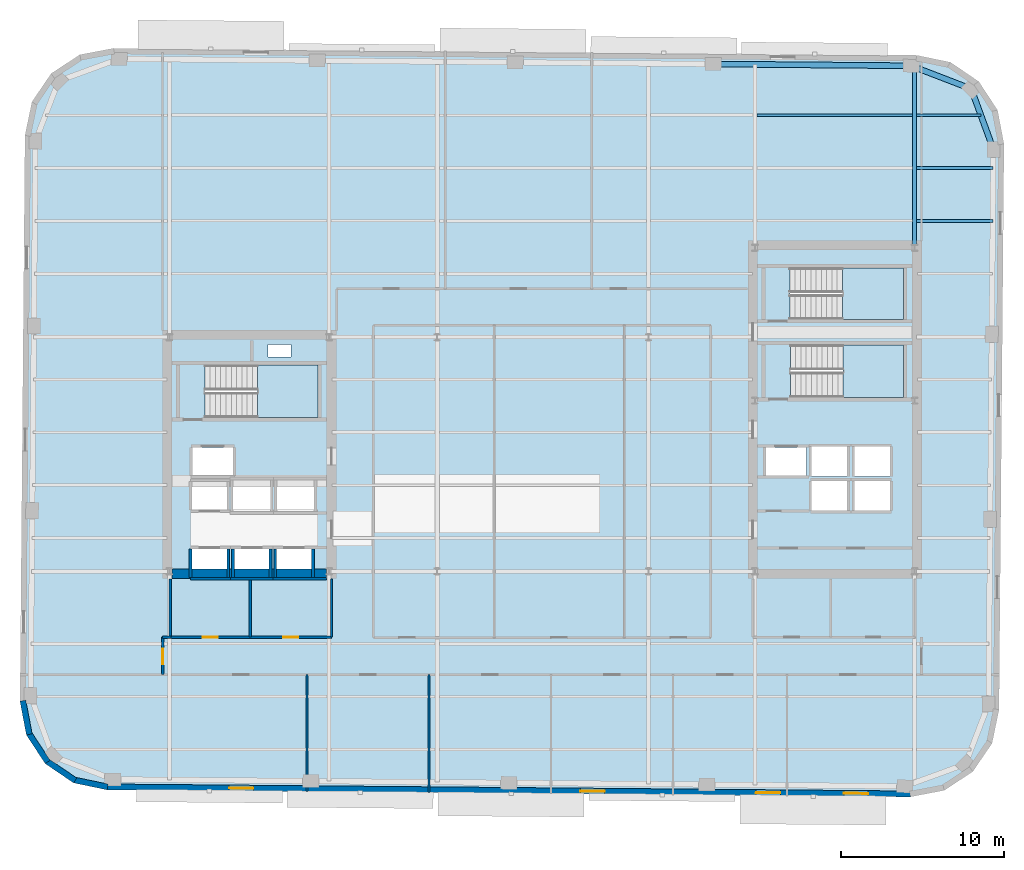
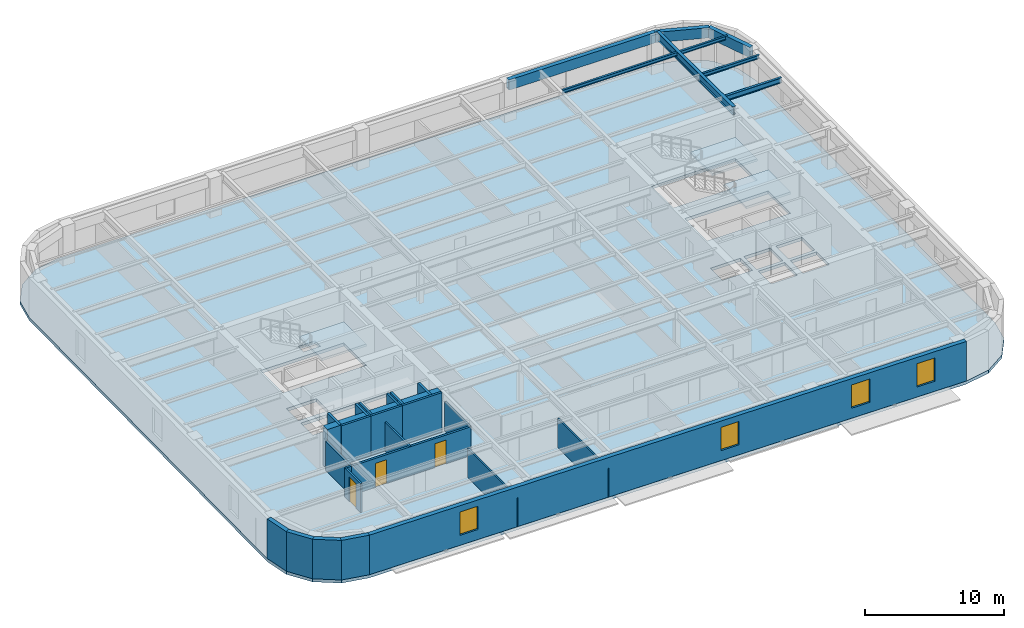
# One storey, part 3 of 11: 23 walls, 8 beams, 4 slabs, 4 windows, 3 doors, 7 openings, 3 elements without a shape of their own.
"""IFC4 building model written with IfcOpenShell, lengths in metres."""

import ifcopenshell
import ifcopenshell.guid

model = None  # the IFC model being written
_history = None  # IfcOwnerHistory: only IFC2X3 demands one
_inside = {}  # id of a spatial element -> (the spatial element, [elements in it])
_under = {}  # id of a project, library or spatial element -> (it, [spatial elements below it])
_declared = {}  # id of a project -> (the project, [libraries it declares])
_typed = {}  # id of a type object -> (the type object, [elements of that type])
_made_of = {}  # id of a material, layer set ... -> (it, [elements and type objects made of it])


def new_model(schema):
    """Start an empty IFC model of exactly this schema.

    Asked for "IFC4X3", IfcOpenShell would pick the latest addendum, in which some entities
    have other attributes; the version numbers below select the first issue.
    IFC2X3 requires an IfcOwnerHistory on every rooted entity: one is made here for all.
    """
    global model, _history
    if schema == "IFC4X3":
        model = ifcopenshell.file(schema_version=(4, 3, 0, 0))
    else:
        model = ifcopenshell.file(schema=schema)
    _inside.clear()
    _under.clear()
    _declared.clear()
    _typed.clear()
    _made_of.clear()
    _history = None
    if model.schema == "IFC2X3":
        org = make("IfcOrganization", Name="unknown")
        user = make(
            "IfcPersonAndOrganization",
            ThePerson=make("IfcPerson", FamilyName="unknown"),
            TheOrganization=org,
        )
        app = make(
            "IfcApplication",
            ApplicationDeveloper=org,
            Version="unknown",
            ApplicationFullName="unknown",
            ApplicationIdentifier="unknown",
        )
        _history = make(
            "IfcOwnerHistory",
            OwningUser=user,
            OwningApplication=app,
            ChangeAction="ADDED",
            CreationDate=0,
        )
    return model


def make(cls, **values):
    """One entity of the class cls with the attributes given. An attribute that is None is left unset."""
    return model.create_entity(
        cls, **{name: value for name, value in values.items() if value is not None}
    )


def rooted(cls, **values):
    """An entity with a GlobalId (a new one), such as an element, a storey or a relation."""
    return make(cls, GlobalId=ifcopenshell.guid.new(), OwnerHistory=_history, **values)


def si_unit(unit_type, name, prefix=None):
    """IfcSIUnit, for example si_unit("LENGTHUNIT", "METRE", prefix="MILLI")."""
    return make("IfcSIUnit", UnitType=unit_type, Prefix=prefix, Name=name)


def assignment(units):
    """IfcUnitAssignment: the units of a project."""
    return None if units is None else make("IfcUnitAssignment", Units=units)


def point(xyz):
    """IfcCartesianPoint."""
    return None if xyz is None else make("IfcCartesianPoint", Coordinates=xyz)


def direction(xyz):
    """IfcDirection."""
    return None if xyz is None else make("IfcDirection", DirectionRatios=xyz)


def frame(location, z_axis=None, x_axis=None):
    """IfcAxis2Placement3D, a coordinate frame: its origin and axes. An axis left out is left unset."""
    return make(
        "IfcAxis2Placement3D",
        Location=point(location),
        Axis=direction(z_axis),
        RefDirection=direction(x_axis),
    )


def frame_2d(location, x_axis=None):
    """IfcAxis2Placement2D, a coordinate frame in the plane: its origin and x axis."""
    return make(
        "IfcAxis2Placement2D", Location=point(location), RefDirection=direction(x_axis)
    )


def origin():
    """The frame at (0, 0, 0) with its axes left unset."""
    return frame((0.0, 0.0, 0.0))


def origin_2d():
    """The frame at (0, 0) in the plane with its x axis left unset."""
    return frame_2d((0.0, 0.0))


def place(relative_to, where):
    """IfcLocalPlacement: puts the frame where relative to a parent placement (None: the world)."""
    return make(
        "IfcLocalPlacement", PlacementRelTo=relative_to, RelativePlacement=where
    )


def context(
    kind, dimensions, precision=None, world=None, true_north=None, identifier=None
):
    """IfcGeometricRepresentationContext, for example the 3D "Model" context."""
    return make(
        "IfcGeometricRepresentationContext",
        ContextIdentifier=identifier,
        ContextType=kind,
        CoordinateSpaceDimension=dimensions,
        Precision=precision,
        WorldCoordinateSystem=world,
        TrueNorth=true_north,
    )


def subcontext(parent, identifier, kind, view, scale=None):
    """IfcGeometricRepresentationSubContext, for example "Body" below "Model"."""
    return make(
        "IfcGeometricRepresentationSubContext",
        ContextIdentifier=identifier,
        ContextType=kind,
        ParentContext=parent,
        TargetScale=scale,
        TargetView=view,
    )


def project(units=None, contexts=None):
    """IfcProject with its units and contexts."""
    return rooted(
        "IfcProject",
        Name="project",
        RepresentationContexts=contexts,
        UnitsInContext=assignment(units),
    )


def spatial(cls, under=None, at=None, **own):
    """A site, building, storey or space (cls), placed at a placement, below another one or the project."""
    s = rooted(cls, ObjectPlacement=at, **own)
    if under is not None:
        _under.setdefault(under.id(), (under, []))[1].append(s)
    return s


def polyline(points):
    """IfcPolyline through the points."""
    return make("IfcPolyline", Points=[point(p) for p in points])


def profile(cls, at=None, kind="AREA", **sizes):
    """A parametric profile (cls). Its sizes go by their IFC names, for example OverallWidth=200.0."""
    return make(cls, ProfileType=kind, Position=at, **sizes)


def rectangle(**sizes):
    """IfcRectangleProfileDef."""
    return profile("IfcRectangleProfileDef", **sizes)


def hollow_rectangle(**sizes):
    """IfcRectangleHollowProfileDef."""
    return profile("IfcRectangleHollowProfileDef", **sizes)


def i_section(**sizes):
    """IfcIShapeProfileDef."""
    return profile("IfcIShapeProfileDef", **sizes)


def outline(outer, holes=None, kind="AREA"):
    """IfcArbitraryClosedProfileDef: a profile drawn as a closed curve; with holes, ...WithVoids."""
    if holes is None:
        return make("IfcArbitraryClosedProfileDef", ProfileType=kind, OuterCurve=outer)
    return make(
        "IfcArbitraryProfileDefWithVoids",
        ProfileType=kind,
        OuterCurve=outer,
        InnerCurves=holes,
    )


def extrude(swept, where, along, depth):
    """IfcExtrudedAreaSolid: the profile swept, set in the frame where, extruded along a direction by depth."""
    return make(
        "IfcExtrudedAreaSolid",
        SweptArea=swept,
        Position=where,
        ExtrudedDirection=direction(along),
        Depth=depth,
    )


def shape(context_of_items, identifier, shape_type, items):
    """IfcShapeRepresentation: the items that make up one representation, for example the "Body"."""
    return make(
        "IfcShapeRepresentation",
        ContextOfItems=context_of_items,
        RepresentationIdentifier=identifier,
        RepresentationType=shape_type,
        Items=items,
    )


def material(Name=None, Category=None):
    """IfcMaterial."""
    return make("IfcMaterial", Name=Name, Category=Category)


def layer(
    of_material, thickness, ventilated=None, Name=None, Category=None, Priority=None
):
    """IfcMaterialLayer: one layer of a wall or slab, of a material (None: an air gap)."""
    return make(
        "IfcMaterialLayer",
        Material=of_material,
        LayerThickness=thickness,
        IsVentilated=ventilated,
        Name=Name,
        Category=Category,
        Priority=Priority,
    )


def layer_set(layers, Name=None):
    """IfcMaterialLayerSet."""
    return make("IfcMaterialLayerSet", MaterialLayers=layers, LayerSetName=Name)


def material_profile(
    of_material, cross_section, Name=None, Category=None, Priority=None
):
    """IfcMaterialProfile: a cross section and its material."""
    return make(
        "IfcMaterialProfile",
        Name=Name,
        Material=of_material,
        Profile=cross_section,
        Priority=Priority,
        Category=Category,
    )


def profile_set(profiles, Name=None, composite=None):
    """IfcMaterialProfileSet."""
    return make(
        "IfcMaterialProfileSet",
        Name=Name,
        MaterialProfiles=profiles,
        CompositeProfile=composite,
    )


def made_of(thing, what):
    """Note that an element or type object is made of a material, layer set ...; save() writes the relation."""
    if what is not None:
        _made_of.setdefault(what.id(), (what, []))[1].append(thing)
    return thing


def type_object(cls, material=None, **own):
    """A type object (cls), such as IfcWallType, which elements share."""
    return made_of(rooted(cls, **own), material)


def element(
    cls,
    number,
    at=None,
    inside=None,
    cuts=None,
    type_object=None,
    material=None,
    context=None,
    identifier="Body",
    shape_type=None,
    held_by="IfcProductDefinitionShape",
    body=None,
    shapes=None,
    **own,
):
    """One element of the class cls, such as IfcWall. Its Tag is "e" and its number.

    at: its placement. inside: the storey or other place that contains it. cuts: it is an
    opening in that element (IfcRelVoidsElement). A single representation is given by context,
    identifier, shape_type and body (its items); several are given by shapes. held_by: the class
    of the entity that holds the representations. save() writes the other relations.
    """
    e = rooted(cls, Tag="e%d" % number, ObjectPlacement=at, **own)
    if body is not None:
        shapes = [shape(context, identifier, shape_type, body)]
    if shapes is not None:
        e.Representation = make(held_by, Representations=shapes)
    if inside is not None:
        _inside.setdefault(inside.id(), (inside, []))[1].append(e)
    if cuts is not None:
        rooted(
            "IfcRelVoidsElement", RelatingBuildingElement=cuts, RelatedOpeningElement=e
        )
    if type_object is not None:
        _typed.setdefault(type_object.id(), (type_object, []))[1].append(e)
    return made_of(e, material)


def fill(opening, filler):
    """IfcRelFillsElement: the door or window that sits in an opening."""
    return rooted(
        "IfcRelFillsElement",
        RelatingOpeningElement=opening,
        RelatedBuildingElement=filler,
    )


def aggregate(whole, parts):
    """IfcRelAggregates: a whole, such as a stair, and the parts it consists of."""
    return rooted("IfcRelAggregates", RelatingObject=whole, RelatedObjects=parts)


def save(model, path):
    """Write the relations noted so far, then the file.

    IfcRelAggregates (storeys below a building ...), IfcRelContainedInSpatialStructure (elements
    in a storey), IfcRelDefinesByType, IfcRelAssociatesMaterial and IfcRelDeclares: one each for
    every whole, place, type object, material and project.
    """
    for whole, parts in _under.values():
        aggregate(whole, parts)
    for where, things in _inside.values():
        rooted(
            "IfcRelContainedInSpatialStructure",
            RelatedElements=things,
            RelatingStructure=where,
        )
    for kind, things in _typed.values():
        rooted("IfcRelDefinesByType", RelatedObjects=things, RelatingType=kind)
    for what, things in _made_of.values():
        rooted("IfcRelAssociatesMaterial", RelatedObjects=things, RelatingMaterial=what)
    for by, libraries in _declared.values():
        rooted("IfcRelDeclares", RelatingContext=by, RelatedDefinitions=libraries)
    model.write(path)


model = new_model("IFC4")

# Units and contexts
model_context = context("Model", 3, precision=1e-05, world=origin(), true_north=direction((0.0, 1.0)))
body_context = subcontext(model_context, "Body", "Model", "MODEL_VIEW")
ifc_project = project(units=[si_unit("LENGTHUNIT", "METRE"), si_unit("AREAUNIT", "SQUARE_METRE"), si_unit("VOLUMEUNIT", "CUBIC_METRE"), si_unit("PLANEANGLEUNIT", "RADIAN"), si_unit("MASSUNIT", "GRAM", prefix="KILO")], contexts=[model_context])

# Site, building, storey
site_placement = place(None, origin())
site = spatial("IfcSite", under=ifc_project, at=site_placement, CompositionType="ELEMENT")
building_placement = place(site_placement, origin())
building = spatial("IfcBuilding", under=site, at=building_placement, Name="Kolvaren Arena Tower", CompositionType="ELEMENT")
storey_placement = place(building_placement, frame((0.0, 0.0, 195.949951171875)))
storey = spatial("IfcBuildingStorey", under=building, at=storey_placement, Name="L47", CompositionType="ELEMENT", Elevation=195.949951171875)

# Beams
ifc_material_1 = material(Name="Steel CSA G40.21 350W", Category="steel")
ifc_material_profile_1 = material_profile(ifc_material_1, i_section(OverallWidth=0.193115234375, OverallDepth=0.462890625, WebThickness=0.0107421875, FlangeThickness=0.0205078125, FilletRadius=0.012939453125, at=origin_2d()), Name="W460x113")
ifc_profile_set_1 = profile_set([ifc_material_profile_1], Name="Steel CSA G40.21 350W")
beam_type_1 = type_object("IfcBeamType", Name="BEAM-F2", PredefinedType="BEAM", material=ifc_profile_set_1)
beam_1_placement = place(storey_placement, frame((60.4775390625, 41.0, 3.24853515625), z_axis=(1.0, 0.0, 0.0), x_axis=(0.0, 1.0, 0.0)))
element("IfcBeam", 1, at=beam_1_placement, inside=storey, type_object=beam_type_1, Name="Composite Floor Beam (L47)", PredefinedType="BEAM", context=body_context, shape_type="SweptSolid", body=[
    extrude(i_section(OverallWidth=0.193115234375, OverallDepth=0.462890625, WebThickness=0.0107421875, FlangeThickness=0.0205078125, FilletRadius=0.012939453125, at=origin_2d()), origin(), (0.0, 0.0, 1.0), 4.681884765625),
])
ifc_material_profile_2 = material_profile(ifc_material_1, i_section(OverallWidth=0.2548828125, OverallDepth=0.695068359375, WebThickness=0.01708984375, FlangeThickness=0.02978515625, FilletRadius=0.01611328125, at=origin_2d()), Name="W690x217")
ifc_profile_set_2 = profile_set([ifc_material_profile_2], Name="Steel CSA G40.21 350W")
beam_type_2 = type_object("IfcBeamType", Name="GIRD-T2", PredefinedType="BEAM", material=ifc_profile_set_2)
beam_2_placement = place(storey_placement, frame((60.35009765625, 39.47998046875, 3.132568359375), z_axis=(0.0, 1.0, 0.0), x_axis=(-1.0, 0.0, 0.0)))
element("IfcBeam", 2, at=beam_2_placement, inside=storey, type_object=beam_type_2, Name="Primary Floor Girder (L47)", PredefinedType="BEAM", context=body_context, shape_type="SweptSolid", body=[
    extrude(i_section(OverallWidth=0.2548828125, OverallDepth=0.695068359375, WebThickness=0.01708984375, FlangeThickness=0.02978515625, FilletRadius=0.01611328125, at=origin_2d()), origin(), (0.0, 0.0, 1.0), 10.976806640625),
])
ifc_material_profile_3 = material_profile(ifc_material_1, i_section(OverallWidth=0.1669921875, OverallDepth=0.31689453125, WebThickness=0.007568359375, FlangeThickness=0.01318359375, FilletRadius=0.010009765625, at=origin_2d()), Name="W310x52")
ifc_profile_set_3 = profile_set([ifc_material_profile_3], Name="Steel CSA G40.21 350W")
beam_type_3 = type_object("IfcBeamType", Name="JOIST-02", PredefinedType="JOIST", material=ifc_profile_set_3)
beam_3_placement = place(storey_placement, frame((60.4775390625, 44.25, 3.321533203125), z_axis=(1.0, 0.0, 0.0), x_axis=(0.0, 1.0, 0.0)))
element("IfcBeam", 3, at=beam_3_placement, inside=storey, type_object=beam_type_3, Name="Composite Floor Joist (L47)", PredefinedType="JOIST", context=body_context, shape_type="SweptSolid", body=[
    extrude(i_section(OverallWidth=0.1669921875, OverallDepth=0.31689453125, WebThickness=0.007568359375, FlangeThickness=0.01318359375, FilletRadius=0.010009765625, at=origin_2d()), origin(), (0.0, 0.0, 1.0), 4.710205078125),
])
beam_4_placement = place(storey_placement, frame((50.677490234375, 47.5, 3.321533203125), z_axis=(1.0, 0.0, 0.0), x_axis=(0.0, 1.0, 0.0)))
element("IfcBeam", 4, at=beam_4_placement, inside=storey, type_object=beam_type_3, Name="Composite Floor Joist (L47)", PredefinedType="JOIST", context=body_context, shape_type="SweptSolid", body=[
    extrude(i_section(OverallWidth=0.1669921875, OverallDepth=0.31689453125, WebThickness=0.007568359375, FlangeThickness=0.01318359375, FilletRadius=0.010009765625, at=origin_2d()), origin(), (0.0, 0.0, 1.0), 9.544921875),
])
beam_5_placement = place(storey_placement, frame((60.4775390625, 47.5, 3.321533203125), z_axis=(1.0, 0.0, 0.0), x_axis=(0.0, 1.0, 0.0)))
element("IfcBeam", 5, at=beam_5_placement, inside=storey, type_object=beam_type_3, Name="Composite Floor Joist (L47)", PredefinedType="JOIST", context=body_context, shape_type="SweptSolid", body=[
    extrude(i_section(OverallWidth=0.1669921875, OverallDepth=0.31689453125, WebThickness=0.007568359375, FlangeThickness=0.01318359375, FilletRadius=0.010009765625, at=origin_2d()), origin(), (0.0, 0.0, 1.0), 3.950439453125),
])
ifc_material_2 = material(Name="Steel CSA G40.21 350WT", Category="steel")
ifc_material_profile_4 = material_profile(ifc_material_2, hollow_rectangle(XDim=0.35009765625, YDim=0.89990234375, WallThickness=0.02001953125, at=origin_2d()), Name="HSS 900x350x20")
ifc_profile_set_4 = profile_set([ifc_material_profile_4], Name="Steel CSA G40.21 350WT")
beam_type_4 = type_object("IfcBeamType", Name="SPAND-01", PredefinedType="SPANDREL", material=ifc_profile_set_4)
for number, where, z_axis, x_axis, name in (
    (6, (65.19775390625, 45.392333984375, 3.030029296875), (-0.343059102458, 0.939313819882, 0.0), (-0.939313819882, -0.343059102458, 0.0), "Perimeter Spandrel Beam (L47)"),
    (7, (63.8388671875, 49.113037109375, 3.030029296875), (-0.933189846698, 0.359383792094, 0.0), (-0.359383792094, -0.933189846698, 0.0), "Perimeter Spandrel Beam (L47)"),
):
    element("IfcBeam", number, at=place(storey_placement, frame(where, z_axis=z_axis, x_axis=x_axis)), inside=storey, type_object=beam_type_4, Name=name, PredefinedType="SPANDREL", context=body_context, shape_type="SweptSolid", body=[
        extrude(hollow_rectangle(XDim=0.35009765625, YDim=0.89990234375, WallThickness=0.02001953125, at=origin_2d()), origin(), (0.0, 0.0, 1.0), 3.961181640625),
    ])
beam_6_placement = place(storey_placement, frame((60.142333984375, 50.53662109375, 3.030029296875), z_axis=(-0.99996195503, 0.008722871848, 0.0), x_axis=(-0.008722871848, -0.99996195503, 0.0)))
element("IfcBeam", 8, at=beam_6_placement, inside=storey, type_object=beam_type_4, Name="Perimeter Spandrel Beam (L47)", PredefinedType="SPANDREL", context=body_context, shape_type="SweptSolid", body=[
    extrude(hollow_rectangle(XDim=0.35009765625, YDim=0.89990234375, WallThickness=0.02001953125, at=origin_2d()), origin(), (0.0, 0.0, 1.0), 12.175048828125),
])

# Stair, slab
ifc_material_3 = material(Name="Concrete 45 MPa", Category="concrete")
stair_type_1 = type_object("IfcStairType", Name="STAIR-CORE-165", PredefinedType="HALF_TURN_STAIR", material=ifc_material_3)
stair_1_placement = place(storey_placement, origin())
stair_1 = element("IfcStair", 9, at=stair_1_placement, inside=storey, type_object=stair_type_1, Name="L47 ST-W1", PredefinedType="HALF_TURN_STAIR")
ifc_layer_1 = layer(ifc_material_3, 0.199951171875)
ifc_layer_set_1 = layer_set([ifc_layer_1], Name="Concrete 45 MPa")
slab_type_1 = type_object("IfcSlabType", Name="SLAB-LAND", PredefinedType="LANDING", material=ifc_layer_set_1)
slab_1_placement = place(storey_placement, frame((0.0, 0.0, 1.675048828125)))
slab_1 = element("IfcSlab", 10, at=slab_1_placement, type_object=slab_type_1, Name="ST-W1 landing 1", PredefinedType="LANDING", context=body_context, shape_type="SweptSolid", body=[
    extrude(outline(polyline([(19.9599609375, 28.89990234375), (23.659912109375, 28.89990234375), (23.659912109375, 32.1298828125), (19.9599609375, 32.1298828125), (19.9599609375, 28.89990234375)])), origin(), (0.0, 0.0, 1.0), 0.199951171875),
])
aggregate(stair_1, [slab_1])

stair_2_placement = place(storey_placement, origin())
stair_2 = element("IfcStair", 11, at=stair_2_placement, inside=storey, type_object=stair_type_1, Name="L47 ST-E1", PredefinedType="HALF_TURN_STAIR")
slab_2_placement = place(storey_placement, frame((0.0, 0.0, 1.675048828125)))
slab_2 = element("IfcSlab", 12, at=slab_2_placement, type_object=slab_type_1, Name="ST-E1 landing 1", PredefinedType="LANDING", context=body_context, shape_type="SweptSolid", body=[
    extrude(outline(polyline([(55.9599609375, 30.14990234375), (59.659912109375, 30.14990234375), (59.659912109375, 33.3798828125), (55.9599609375, 33.3798828125), (55.9599609375, 30.14990234375)])), origin(), (0.0, 0.0, 1.0), 0.199951171875),
])
aggregate(stair_2, [slab_2])

stair_type_2 = type_object("IfcStairType", Name="STAIR-CORE-150", PredefinedType="HALF_TURN_STAIR", material=ifc_material_3)
stair_3_placement = place(storey_placement, origin())
stair_3 = element("IfcStair", 13, at=stair_3_placement, inside=storey, type_object=stair_type_2, Name="L47 ST-E2", PredefinedType="HALF_TURN_STAIR")
slab_3_placement = place(storey_placement, frame((0.0, 0.0, 1.675048828125)))
slab_3 = element("IfcSlab", 14, at=slab_3_placement, type_object=slab_type_1, Name="ST-E2 landing 1", PredefinedType="LANDING", context=body_context, shape_type="SweptSolid", body=[
    extrude(outline(polyline([(55.919921875, 34.949951171875), (59.659912109375, 34.949951171875), (59.659912109375, 38.10009765625), (55.919921875, 38.10009765625), (55.919921875, 34.949951171875)])), origin(), (0.0, 0.0, 1.0), 0.199951171875),
])
aggregate(stair_3, [slab_3])

# Slab
ifc_layer_2 = layer(ifc_material_3, 0.27001953125)
ifc_layer_set_2 = layer_set([ifc_layer_2], Name="Concrete 45 MPa")
slab_type_2 = type_object("IfcSlabType", Name="SLAB-OFF2", PredefinedType="FLOOR", material=ifc_layer_set_2)
slab_4_placement = place(storey_placement, frame((0.0, 0.0, -0.27001953125)))
element("IfcSlab", 15, at=slab_4_placement, inside=storey, type_object=slab_type_2, Name="L47 Primary Structural Slab", PredefinedType="FLOOR", context=body_context, shape_type="SweptSolid", body=[
    extrude(outline(polyline([(60.10009765625, 5.585205078125), (62.170166015625, 5.978271484375), (63.93212890625, 7.133544921875), (65.117919921875, 8.875244140625), (65.547119140625, 10.93798828125), (65.8505859375, 45.73681640625), (65.457763671875, 47.806640625), (64.302490234375, 49.568603515625), (62.560791015625, 50.75439453125), (60.498046875, 51.18359375), (11.099853515625, 51.61474609375), (9.02978515625, 51.2216796875), (7.267822265625, 50.06640625), (6.08203125, 48.32470703125), (5.653076171875, 46.261962890625), (5.349365234375, 11.46337890625), (5.7421875, 9.393310546875), (6.8974609375, 7.63134765625), (8.63916015625, 6.445556640625), (10.701904296875, 6.016357421875), (60.10009765625, 5.585205078125)]), holes=[polyline([(15.93505859375, 19.0849609375), (15.93505859375, 20.81494140625), (18.06494140625, 20.81494140625), (18.06494140625, 19.0849609375), (15.93505859375, 19.0849609375)]), polyline([(18.534912109375, 19.0849609375), (18.534912109375, 20.81494140625), (20.6650390625, 20.81494140625), (20.6650390625, 19.0849609375), (18.534912109375, 19.0849609375)]), polyline([(21.135009765625, 19.0849609375), (21.135009765625, 20.81494140625), (23.264892578125, 20.81494140625), (23.264892578125, 19.0849609375), (21.135009765625, 19.0849609375)]), polyline([(18.4599609375, 23.135009765625), (18.4599609375, 25.06494140625), (20.739990234375, 25.06494140625), (20.739990234375, 23.135009765625), (18.4599609375, 23.135009765625)]), polyline([(21.159912109375, 23.135009765625), (21.159912109375, 25.06494140625), (23.43994140625, 25.06494140625), (23.43994140625, 23.135009765625), (21.159912109375, 23.135009765625)]), polyline([(54.030029296875, 23.18505859375), (54.030029296875, 25.014892578125), (56.2099609375, 25.014892578125), (56.2099609375, 23.18505859375), (54.030029296875, 23.18505859375)]), polyline([(56.669921875, 23.18505859375), (56.669921875, 25.014892578125), (58.85009765625, 25.014892578125), (58.85009765625, 23.18505859375), (56.669921875, 23.18505859375)]), polyline([(15.93505859375, 23.235107421875), (15.93505859375, 24.965087890625), (18.06494140625, 24.965087890625), (18.06494140625, 23.235107421875), (15.93505859375, 23.235107421875)]), polyline([(54.030029296875, 25.284912109375), (54.030029296875, 27.114990234375), (56.2099609375, 27.114990234375), (56.2099609375, 25.284912109375), (54.030029296875, 25.284912109375)]), polyline([(56.669921875, 25.284912109375), (56.669921875, 27.114990234375), (58.85009765625, 27.114990234375), (58.85009765625, 25.284912109375), (56.669921875, 25.284912109375)]), polyline([(15.9599609375, 25.3349609375), (15.9599609375, 27.06494140625), (18.43994140625, 27.06494140625), (18.43994140625, 25.3349609375), (15.9599609375, 25.3349609375)]), polyline([(51.219970703125, 25.3349609375), (51.219970703125, 27.06494140625), (53.699951171875, 27.06494140625), (53.699951171875, 25.3349609375), (51.219970703125, 25.3349609375)]), polyline([(16.735107421875, 28.89990234375), (16.735107421875, 32.1298828125), (23.659912109375, 32.1298828125), (23.659912109375, 28.89990234375), (16.735107421875, 28.89990234375)]), polyline([(52.735107421875, 30.14990234375), (52.735107421875, 33.3798828125), (59.659912109375, 33.3798828125), (59.659912109375, 30.14990234375), (52.735107421875, 30.14990234375)]), polyline([(20.60009765625, 32.6201171875), (20.60009765625, 33.39990234375), (22.0, 33.39990234375), (22.0, 32.6201171875), (20.60009765625, 32.6201171875)]), polyline([(52.695068359375, 34.949951171875), (52.695068359375, 38.10009765625), (59.659912109375, 38.10009765625), (59.659912109375, 34.949951171875), (52.695068359375, 34.949951171875)])]), origin(), (0.0, 0.0, 1.0), 0.27001953125),
])

# Wall, opening, door
ifc_material_4 = material(Name="Gypsum board acoustic assembly", Category="gypsum")
ifc_layer_3 = layer(ifc_material_4, 0.159912109375)
ifc_layer_set_3 = layer_set([ifc_layer_3], Name="Gypsum board acoustic assembly")
wall_type_1 = type_object("IfcWallType", Name="CORR-160", PredefinedType="PARTITIONING", material=ifc_layer_set_3)
wall_1_placement = place(storey_placement, frame((14.1201171875, 13.10009765625, 0.0), z_axis=(0.0, 0.0, 1.0), x_axis=(0.0, 1.0, 0.0)))
wall_1 = element("IfcWall", 16, at=wall_1_placement, inside=storey, type_object=wall_type_1, Name="Interior Partition Wall (L47)", PredefinedType="PARTITIONING", context=body_context, shape_type="SweptSolid", body=[
    extrude(rectangle(XDim=2.2998046875, YDim=0.159912109375, at=frame_2d((1.14990234375, 0.0))), origin(), (0.0, 0.0, 1.0), 2.5400390625),
])
opening_1_placement = place(wall_1_placement, frame((0.64990234375, 0.0, 0.0)))
opening_1 = element("IfcOpeningElement", 17, at=opening_1_placement, cuts=wall_1, Name="Opening D05", PredefinedType="OPENING", context=body_context, shape_type="SweptSolid", body=[
    extrude(rectangle(XDim=0.949951171875, YDim=2.14990234375, at=frame_2d((0.47509765625, 1.074951171875))), frame((0.0, 0.08984375, 0.0), z_axis=(0.0, -1.0, 0.0), x_axis=(1.0, 0.0, 0.0)), (0.0, 0.0, 1.0), 0.179931640625),
])
ifc_material_5 = material(Name="Solid-core oak acoustic office door", Category="wood")
door_type_1 = type_object("IfcDoorType", Name="DOOR-OF-095", OperationType="NOTDEFINED", PredefinedType="DOOR", material=ifc_material_5)
door_1_placement = place(opening_1_placement, origin())
door_1 = element("IfcDoor", 18, at=door_1_placement, inside=storey, type_object=door_type_1, Name="West Wing Office Door (L47)", OperationType="SINGLE_SWING_LEFT", OverallHeight=2.14990234375, OverallWidth=0.949951171875, PredefinedType="DOOR", context=body_context, shape_type="SweptSolid", body=[
    extrude(rectangle(XDim=0.949951171875, YDim=2.14990234375, at=frame_2d((0.47509765625, 1.074951171875))), frame((0.0, 0.02490234375, 0.0), z_axis=(0.0, -1.0, 0.0), x_axis=(1.0, 0.0, 0.0)), (0.0, 0.0, 1.0), 0.050048828125),
])
fill(opening_1, door_1)

# Walls
wall_2_placement = place(storey_placement, frame((14.1201171875, 15.39990234375, 0.0), z_axis=(0.0, 0.0, 1.0), x_axis=(1.0, 0.0, 0.0)))
element("IfcWall", 19, at=wall_2_placement, inside=storey, type_object=wall_type_1, Name="Interior Partition Wall (L47)", PredefinedType="PARTITIONING", context=body_context, shape_type="SweptSolid", body=[
    extrude(rectangle(XDim=0.5, YDim=0.159912109375, at=frame_2d((0.25, 0.0))), origin(), (0.0, 0.0, 1.0), 2.5400390625),
])
ifc_material_6 = material(Name="Concrete 60 MPa", Category="concrete")
ifc_layer_4 = layer(ifc_material_6, 0.60009765625)
ifc_layer_set_4 = layer_set([ifc_layer_4], Name="Concrete 60 MPa")
wall_type_2 = type_object("IfcWallType", Name="CWALL-600", PredefinedType="SHEAR", material=ifc_layer_set_4)
wall_3_placement = place(storey_placement, frame((14.699951171875, 19.300048828125, -0.27001953125), z_axis=(0.0, 0.0, 1.0), x_axis=(1.0, 0.0, 0.0)))
element("IfcWall", 20, at=wall_3_placement, inside=storey, type_object=wall_type_2, Name="Core Shear Wall WC-SOUTH (L47)", PredefinedType="SHEAR", context=body_context, shape_type="SweptSolid", body=[
    extrude(rectangle(XDim=9.5, YDim=0.60009765625, at=frame_2d((4.75, 0.0))), origin(), (0.0, 0.0, 1.0), 3.75),
])
ifc_material_7 = material(Name="Precast concrete C50/60", Category="concrete")
ifc_layer_5 = layer(ifc_material_7, 0.360107421875)
ifc_layer_set_5 = layer_set([ifc_layer_5], Name="Precast concrete C50/60")
wall_type_3 = type_object("IfcWallType", Name="EXT-PIER2", PredefinedType="SOLIDWALL", material=ifc_layer_set_5)
for number, where, z_axis, x_axis, name in (
    (21, (5.919189453125, 9.427001953125, 0.0), (0.0, 0.0, 1.0), (-0.186568933123, 0.982441872679, 0.0), "Exterior Precast Masonry-Frame Wall (L47)"),
    (22, (7.048095703125, 7.72998046875, 0.0), (0.0, 0.0, 1.0), (-0.548319766745, 0.836268756678, 0.0), "Exterior Precast Masonry-Frame Wall (L47)"),
    (23, (8.740478515625, 6.59423828125, 0.0), (0.0, 0.0, 1.0), (-0.826609569219, 0.56277581689, 0.0), "Exterior Precast Masonry-Frame Wall (L47)"),
):
    element("IfcWall", number, at=place(storey_placement, frame(where, z_axis=z_axis, x_axis=x_axis)), inside=storey, type_object=wall_type_3, Name=name, PredefinedType="SOLIDWALL", context=body_context, shape_type="SweptSolid", body=[
        extrude(rectangle(XDim=2.10693359375, YDim=0.360107421875, at=frame_2d((1.053466796875, 0.0))), origin(), (0.0, 0.0, 1.0), 3.47998046875),
    ])
wall_4_placement = place(storey_placement, frame((10.73876953125, 6.192626953125, 0.0), z_axis=(0.0, 0.0, 1.0), x_axis=(-0.979059388908, 0.203574833883, 0.0)))
element("IfcWall", 24, at=wall_4_placement, inside=storey, type_object=wall_type_3, Name="Exterior Precast Masonry-Frame Wall (L47)", PredefinedType="SOLIDWALL", context=body_context, shape_type="SweptSolid", body=[
    extrude(rectangle(XDim=2.107177734375, YDim=0.360107421875, at=frame_2d((1.0537109375, 0.0))), origin(), (0.0, 0.0, 1.0), 3.47998046875),
])

# Wall, openings, windows
wall_5_placement = place(storey_placement, frame((60.101806640625, 5.765380859375, 0.0), z_axis=(0.0, 0.0, 1.0), x_axis=(-0.999961955436, 0.008722825272, 0.0)))
wall_5 = element("IfcWall", 25, at=wall_5_placement, inside=storey, type_object=wall_type_3, Name="Exterior Precast Masonry-Frame Wall (L47)", PredefinedType="SOLIDWALL", context=body_context, shape_type="SweptSolid", body=[
    extrude(rectangle(XDim=49.400146484375, YDim=0.360107421875, at=frame_2d((24.7001953125, 0.0))), origin(), (0.0, 0.0, 1.0), 3.47998046875),
])
opening_2_placement = place(wall_5_placement, frame((2.60009765625, 0.0, 0.8798828125)))
opening_2 = element("IfcOpeningElement", 26, at=opening_2_placement, cuts=wall_5, Name="Opening W03", PredefinedType="OPENING", context=body_context, shape_type="SweptSolid", body=[
    extrude(rectangle(XDim=1.5, YDim=2.050048828125, at=frame_2d((0.75, 1.02490234375))), frame((0.0, 0.18994140625, 0.0), z_axis=(0.0, -1.0, 0.0), x_axis=(1.0, 0.0, 0.0)), (0.0, 0.0, 1.0), 0.380126953125),
])
opening_3_placement = place(wall_5_placement, frame((8.0, 0.0, 0.8798828125)))
opening_3 = element("IfcOpeningElement", 27, at=opening_3_placement, cuts=wall_5, Name="Opening W03", PredefinedType="OPENING", context=body_context, shape_type="SweptSolid", body=[
    extrude(rectangle(XDim=1.5, YDim=2.050048828125, at=frame_2d((0.75, 1.02490234375))), frame((0.0, 0.18994140625, 0.0), z_axis=(0.0, -1.0, 0.0), x_axis=(1.0, 0.0, 0.0)), (0.0, 0.0, 1.0), 0.380126953125),
])
opening_4_placement = place(wall_5_placement, frame((18.800048828125, 0.0, 0.8798828125)))
opening_4 = element("IfcOpeningElement", 28, at=opening_4_placement, cuts=wall_5, Name="Opening W03", PredefinedType="OPENING", context=body_context, shape_type="SweptSolid", body=[
    extrude(rectangle(XDim=1.5, YDim=2.050048828125, at=frame_2d((0.75, 1.02490234375))), frame((0.0, 0.18994140625, 0.0), z_axis=(0.0, -1.0, 0.0), x_axis=(1.0, 0.0, 0.0)), (0.0, 0.0, 1.0), 0.380126953125),
])
opening_5_placement = place(wall_5_placement, frame((40.39990234375, 0.0, 0.8798828125)))
opening_5 = element("IfcOpeningElement", 29, at=opening_5_placement, cuts=wall_5, Name="Opening W03", PredefinedType="OPENING", context=body_context, shape_type="SweptSolid", body=[
    extrude(rectangle(XDim=1.5, YDim=2.050048828125, at=frame_2d((0.75, 1.02490234375))), frame((0.0, 0.18994140625, 0.0), z_axis=(0.0, -1.0, 0.0), x_axis=(1.0, 0.0, 0.0)), (0.0, 0.0, 1.0), 0.380126953125),
])
ifc_material_8 = material(Name="Triple-glazed low-E aluminium window", Category="aluminium")
window_type = type_object("IfcWindowType", Name="WIN-OFF-C", PartitioningType="SINGLE_PANEL", PredefinedType="WINDOW", material=ifc_material_8)
window_1_placement = place(opening_2_placement, origin())
window_1 = element("IfcWindow", 30, at=window_1_placement, inside=storey, type_object=window_type, Name="Punched Precast-Pier Window (L47)", OverallHeight=2.050048828125, OverallWidth=1.5, PartitioningType="SINGLE_PANEL", PredefinedType="WINDOW", context=body_context, shape_type="SweptSolid", body=[
    extrude(rectangle(XDim=1.5, YDim=2.050048828125, at=frame_2d((0.75, 1.02490234375))), frame((0.0, 0.030029296875, 0.0), z_axis=(0.0, -1.0, 0.0), x_axis=(1.0, 0.0, 0.0)), (0.0, 0.0, 1.0), 0.06005859375),
])
fill(opening_2, window_1)
window_2_placement = place(opening_3_placement, origin())
window_2 = element("IfcWindow", 31, at=window_2_placement, inside=storey, type_object=window_type, Name="Punched Precast-Pier Window (L47)", OverallHeight=2.050048828125, OverallWidth=1.5, PartitioningType="SINGLE_PANEL", PredefinedType="WINDOW", context=body_context, shape_type="SweptSolid", body=[
    extrude(rectangle(XDim=1.5, YDim=2.050048828125, at=frame_2d((0.75, 1.02490234375))), frame((0.0, 0.030029296875, 0.0), z_axis=(0.0, -1.0, 0.0), x_axis=(1.0, 0.0, 0.0)), (0.0, 0.0, 1.0), 0.06005859375),
])
fill(opening_3, window_2)
window_3_placement = place(opening_4_placement, origin())
window_3 = element("IfcWindow", 32, at=window_3_placement, inside=storey, type_object=window_type, Name="Punched Precast-Pier Window (L47)", OverallHeight=2.050048828125, OverallWidth=1.5, PartitioningType="SINGLE_PANEL", PredefinedType="WINDOW", context=body_context, shape_type="SweptSolid", body=[
    extrude(rectangle(XDim=1.5, YDim=2.050048828125, at=frame_2d((0.75, 1.02490234375))), frame((0.0, 0.030029296875, 0.0), z_axis=(0.0, -1.0, 0.0), x_axis=(1.0, 0.0, 0.0)), (0.0, 0.0, 1.0), 0.06005859375),
])
fill(opening_4, window_3)
window_4_placement = place(opening_5_placement, origin())
window_4 = element("IfcWindow", 33, at=window_4_placement, inside=storey, type_object=window_type, Name="Punched Precast-Pier Window (L47)", OverallHeight=2.050048828125, OverallWidth=1.5, PartitioningType="SINGLE_PANEL", PredefinedType="WINDOW", context=body_context, shape_type="SweptSolid", body=[
    extrude(rectangle(XDim=1.5, YDim=2.050048828125, at=frame_2d((0.75, 1.02490234375))), frame((0.0, 0.030029296875, 0.0), z_axis=(0.0, -1.0, 0.0), x_axis=(1.0, 0.0, 0.0)), (0.0, 0.0, 1.0), 0.06005859375),
])
fill(opening_5, window_4)

# Walls
ifc_material_9 = material(Name="Gypsum board partition assembly", Category="gypsum")
ifc_layer_6 = layer(ifc_material_9, 0.135009765625)
ifc_layer_set_6 = layer_set([ifc_layer_6], Name="Gypsum board partition assembly")
wall_type_4 = type_object("IfcWallType", Name="PART-135", PredefinedType="PARTITIONING", material=ifc_layer_set_6)
wall_6_placement = place(storey_placement, frame((23.0, 5.9091796875, 0.0), z_axis=(0.0, 0.0, 1.0), x_axis=(0.0, 1.0, 0.0)))
element("IfcWall", 34, at=wall_6_placement, inside=storey, type_object=wall_type_4, Name="Interior Partition Wall (L47)", PredefinedType="PARTITIONING", context=body_context, shape_type="SweptSolid", body=[
    extrude(rectangle(XDim=7.19091796875, YDim=0.135009765625, at=frame_2d((3.595458984375, 0.0))), origin(), (0.0, 0.0, 1.0), 2.5400390625),
])
wall_7_placement = place(storey_placement, frame((30.5, 5.843505859375, 0.0), z_axis=(0.0, 0.0, 1.0), x_axis=(0.0, 1.0, 0.0)))
element("IfcWall", 35, at=wall_7_placement, inside=storey, type_object=wall_type_4, Name="Interior Partition Wall (L47)", PredefinedType="PARTITIONING", context=body_context, shape_type="SweptSolid", body=[
    extrude(rectangle(XDim=7.256591796875, YDim=0.135009765625, at=frame_2d((3.62841796875, 0.0))), origin(), (0.0, 0.0, 1.0), 2.5400390625),
])
ifc_layer_7 = layer(ifc_material_3, 0.25)
ifc_layer_set_7 = layer_set([ifc_layer_7], Name="Concrete 45 MPa")
wall_type_5 = type_object("IfcWallType", Name="SHAFT-250", PredefinedType="SOLIDWALL", material=ifc_layer_set_7)
wall_8_placement = place(storey_placement, frame((15.844970703125, 18.9951171875, 0.0), z_axis=(0.0, 0.0, 1.0), x_axis=(1.0, 0.0, 0.0)))
element("IfcWall", 36, at=wall_8_placement, inside=storey, type_object=wall_type_5, Name="Core Shaft Wall (L47)", PredefinedType="SOLIDWALL", context=body_context, shape_type="SweptSolid", body=[
    extrude(rectangle(XDim=2.455078125, YDim=0.179931640625, at=frame_2d((1.2275390625, 0.0))), origin(), (0.0, 0.0, 1.0), 3.47998046875),
])
for number, where, z_axis, x_axis, name in (
    (37, (15.844970703125, 19.0849609375, 0.0), (0.0, 0.0, 1.0), (0.0, 1.0, 0.0), "Core Shaft Wall (L47)"),
    (38, (18.155029296875, 19.0849609375, 0.0), (0.0, 0.0, 1.0), (0.0, 1.0, 0.0), "Core Shaft Wall (L47)"),
):
    element("IfcWall", number, at=place(storey_placement, frame(where, z_axis=z_axis, x_axis=x_axis)), inside=storey, type_object=wall_type_5, Name=name, PredefinedType="SOLIDWALL", context=body_context, shape_type="SweptSolid", body=[
        extrude(rectangle(XDim=1.72998046875, YDim=0.179931640625, at=frame_2d((0.864990234375, 0.0))), origin(), (0.0, 0.0, 1.0), 3.47998046875),
    ])
wall_9_placement = place(storey_placement, frame((18.300048828125, 18.9951171875, 0.0), z_axis=(0.0, 0.0, 1.0), x_axis=(1.0, 0.0, 0.0)))
element("IfcWall", 39, at=wall_9_placement, inside=storey, type_object=wall_type_5, Name="Core Shaft Wall (L47)", PredefinedType="SOLIDWALL", context=body_context, shape_type="SweptSolid", body=[
    extrude(rectangle(XDim=2.599853515625, YDim=0.179931640625, at=frame_2d((1.2998046875, 0.0))), origin(), (0.0, 0.0, 1.0), 3.47998046875),
])
for number, where, z_axis, x_axis, name in (
    (40, (18.445068359375, 19.0849609375, 0.0), (0.0, 0.0, 1.0), (0.0, 1.0, 0.0), "Core Shaft Wall (L47)"),
    (41, (20.7548828125, 19.0849609375, 0.0), (0.0, 0.0, 1.0), (0.0, 1.0, 0.0), "Core Shaft Wall (L47)"),
):
    element("IfcWall", number, at=place(storey_placement, frame(where, z_axis=z_axis, x_axis=x_axis)), inside=storey, type_object=wall_type_5, Name=name, PredefinedType="SOLIDWALL", context=body_context, shape_type="SweptSolid", body=[
        extrude(rectangle(XDim=1.72998046875, YDim=0.179931640625, at=frame_2d((0.864990234375, 0.0))), origin(), (0.0, 0.0, 1.0), 3.47998046875),
    ])
wall_10_placement = place(storey_placement, frame((20.89990234375, 18.9951171875, 0.0), z_axis=(0.0, 0.0, 1.0), x_axis=(1.0, 0.0, 0.0)))
element("IfcWall", 42, at=wall_10_placement, inside=storey, type_object=wall_type_5, Name="Core Shaft Wall (L47)", PredefinedType="SOLIDWALL", context=body_context, shape_type="SweptSolid", body=[
    extrude(rectangle(XDim=3.300048828125, YDim=0.179931640625, at=frame_2d((1.64990234375, 0.0))), origin(), (0.0, 0.0, 1.0), 3.47998046875),
])
for number, where, z_axis, x_axis, name in (
    (43, (21.044921875, 19.0849609375, 0.0), (0.0, 0.0, 1.0), (0.0, 1.0, 0.0), "Core Shaft Wall (L47)"),
    (44, (23.35498046875, 19.0849609375, 0.0), (0.0, 0.0, 1.0), (0.0, 1.0, 0.0), "Core Shaft Wall (L47)"),
):
    element("IfcWall", number, at=place(storey_placement, frame(where, z_axis=z_axis, x_axis=x_axis)), inside=storey, type_object=wall_type_5, Name=name, PredefinedType="SOLIDWALL", context=body_context, shape_type="SweptSolid", body=[
        extrude(rectangle(XDim=1.72998046875, YDim=0.179931640625, at=frame_2d((0.864990234375, 0.0))), origin(), (0.0, 0.0, 1.0), 3.47998046875),
    ])
ifc_material_10 = material(Name="Moisture-resistant gypsum assembly", Category="gypsum")
ifc_layer_8 = layer(ifc_material_10, 0.14990234375)
ifc_layer_set_8 = layer_set([ifc_layer_8], Name="Moisture-resistant gypsum assembly")
wall_type_6 = type_object("IfcWallType", Name="WETW-150", PredefinedType="PARTITIONING", material=ifc_layer_set_8)
wall_11_placement = place(storey_placement, frame((19.5, 15.39990234375, 0.0), z_axis=(0.0, 0.0, 1.0), x_axis=(0.0, 1.0, 0.0)))
element("IfcWall", 45, at=wall_11_placement, inside=storey, type_object=wall_type_6, Name="Interior Partition Wall (L47)", PredefinedType="PARTITIONING", context=body_context, shape_type="SweptSolid", body=[
    extrude(rectangle(XDim=3.580078125, YDim=0.14990234375, at=frame_2d((1.7900390625, 0.0))), origin(), (0.0, 0.0, 1.0), 2.5400390625),
])

# Wall, openings, doors
wall_12_placement = place(storey_placement, frame((14.60009765625, 15.39990234375, 0.0), z_axis=(0.0, 0.0, 1.0), x_axis=(1.0, 0.0, 0.0)))
wall_12 = element("IfcWall", 46, at=wall_12_placement, inside=storey, type_object=wall_type_6, Name="Interior Partition Wall (L47)", PredefinedType="PARTITIONING", context=body_context, shape_type="SweptSolid", body=[
    extrude(rectangle(XDim=9.89990234375, YDim=0.179931640625, at=frame_2d((4.949951171875, 0.0))), origin(), (0.0, 0.0, 1.0), 2.5400390625),
])
opening_6_placement = place(wall_12_placement, frame((1.989990234375, 0.0, 0.0)))
opening_6 = element("IfcOpeningElement", 47, at=opening_6_placement, cuts=wall_12, Name="Opening D07", PredefinedType="OPENING", context=body_context, shape_type="SweptSolid", body=[
    extrude(rectangle(XDim=0.919921875, YDim=2.10009765625, at=frame_2d((0.4599609375, 1.050048828125))), frame((0.0, 0.099853515625, 0.0), z_axis=(0.0, -1.0, 0.0), x_axis=(1.0, 0.0, 0.0)), (0.0, 0.0, 1.0), 0.199951171875),
])
opening_7_placement = place(wall_12_placement, frame((6.93994140625, 0.0, 0.0)))
opening_7 = element("IfcOpeningElement", 48, at=opening_7_placement, cuts=wall_12, Name="Opening D07", PredefinedType="OPENING", context=body_context, shape_type="SweptSolid", body=[
    extrude(rectangle(XDim=0.919921875, YDim=2.10009765625, at=frame_2d((0.4599609375, 1.050048828125))), frame((0.0, 0.099853515625, 0.0), z_axis=(0.0, -1.0, 0.0), x_axis=(1.0, 0.0, 0.0)), (0.0, 0.0, 1.0), 0.199951171875),
])
ifc_material_11 = material(Name="Laminate universal washroom door", Category="wood")
door_type_2 = type_object("IfcDoorType", Name="DOOR-WC-092", OperationType="NOTDEFINED", PredefinedType="DOOR", material=ifc_material_11)
door_2_placement = place(opening_6_placement, origin())
door_2 = element("IfcDoor", 49, at=door_2_placement, inside=storey, type_object=door_type_2, Name="Universal Barrier-Free Washroom Door (L47)", OperationType="SINGLE_SWING_LEFT", OverallHeight=2.10009765625, OverallWidth=0.919921875, PredefinedType="DOOR", context=body_context, shape_type="SweptSolid", body=[
    extrude(rectangle(XDim=0.919921875, YDim=2.10009765625, at=frame_2d((0.4599609375, 1.050048828125))), frame((0.0, 0.02490234375, 0.0), z_axis=(0.0, -1.0, 0.0), x_axis=(1.0, 0.0, 0.0)), (0.0, 0.0, 1.0), 0.050048828125),
])
fill(opening_6, door_2)
door_3_placement = place(opening_7_placement, origin())
door_3 = element("IfcDoor", 50, at=door_3_placement, inside=storey, type_object=door_type_2, Name="Gender-Neutral Washroom Door (L47)", OperationType="SINGLE_SWING_RIGHT", OverallHeight=2.10009765625, OverallWidth=0.919921875, PredefinedType="DOOR", context=body_context, shape_type="SweptSolid", body=[
    extrude(rectangle(XDim=0.919921875, YDim=2.10009765625, at=frame_2d((0.4599609375, 1.050048828125))), frame((0.0, 0.02490234375, 0.0), z_axis=(0.0, -1.0, 0.0), x_axis=(1.0, 0.0, 0.0)), (0.0, 0.0, 1.0), 0.050048828125),
])
fill(opening_7, door_3)

# Walls
for number, where, z_axis, x_axis, name in (
    (51, (14.60009765625, 15.39990234375, 0.0), (0.0, 0.0, 1.0), (0.0, 1.0, 0.0), "Interior Partition Wall (L47)"),
    (52, (24.5, 15.39990234375, 0.0), (0.0, 0.0, 1.0), (0.0, 1.0, 0.0), "Interior Partition Wall (L47)"),
):
    element("IfcWall", number, at=place(storey_placement, frame(where, z_axis=z_axis, x_axis=x_axis)), inside=storey, type_object=wall_type_6, Name=name, PredefinedType="PARTITIONING", context=body_context, shape_type="SweptSolid", body=[
        extrude(rectangle(XDim=3.580078125, YDim=0.14990234375, at=frame_2d((1.7900390625, 0.0))), origin(), (0.0, 0.0, 1.0), 2.5400390625),
    ])

save(model, "model.ifc")
